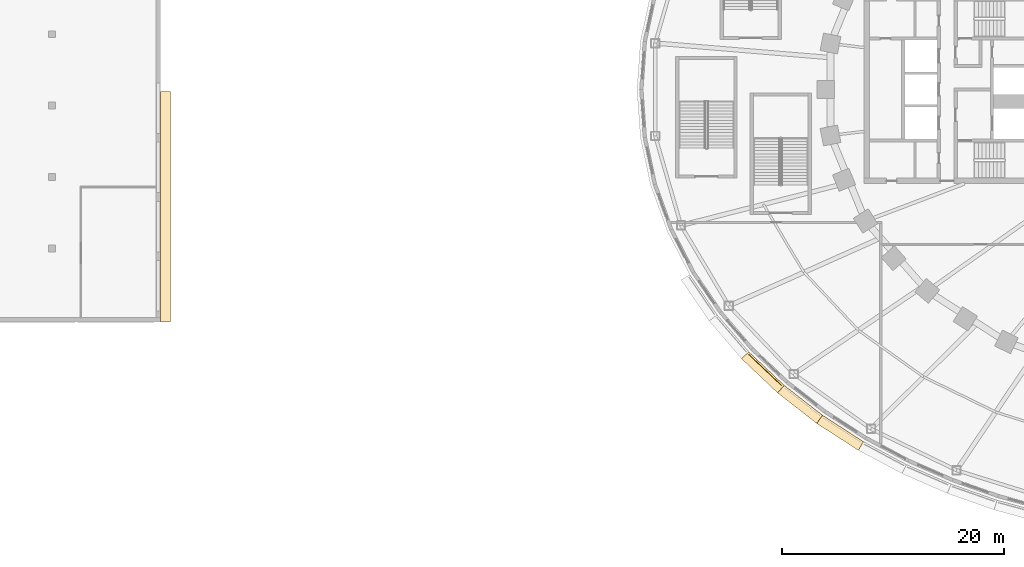
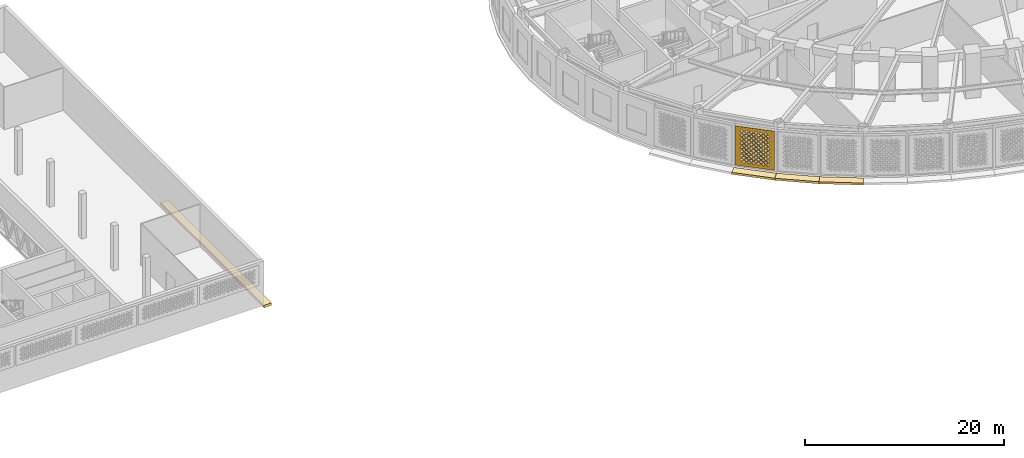
# One storey, part 33 of 69: 5 coverings.
"""IFC4 building model written with IfcOpenShell, lengths in metres."""

from ifc_helpers import new_model, si_unit, direction, frame, origin, place, context, subcontext, project, spatial, polyline, outline, extrude, material, layer, layer_set, type_object, element, save


model = new_model("IFC4")

# Units and contexts
model_context = context("Model", 3, precision=1e-05, world=origin(), true_north=direction((0.0, 1.0)))
body_context = subcontext(model_context, "Body", "Model", "MODEL_VIEW")
ifc_project = project(units=[si_unit("LENGTHUNIT", "METRE"), si_unit("AREAUNIT", "SQUARE_METRE"), si_unit("VOLUMEUNIT", "CUBIC_METRE"), si_unit("PLANEANGLEUNIT", "RADIAN"), si_unit("MASSUNIT", "GRAM", prefix="KILO")], contexts=[model_context])

# Site, building, storey
site_placement = place(None, origin())
site = spatial("IfcSite", under=ifc_project, at=site_placement, CompositionType="ELEMENT")
building_placement = place(site_placement, origin())
building = spatial("IfcBuilding", under=site, at=building_placement, Name="Noorbagh Ring Tower", CompositionType="ELEMENT")
storey_placement = place(building_placement, frame((0.0, 0.0, 19.5)))
storey = spatial("IfcBuildingStorey", under=building, at=storey_placement, Name="L03", CompositionType="ELEMENT", Elevation=19.5)

# Coverings
ifc_material_1 = material(Name="Red sandstone eave", Category="masonry")
covering_type_1 = type_object("IfcCoveringType", Name="STH-CHHAJJA", PredefinedType="USERDEFINED", material=ifc_material_1)
covering_1_placement = place(storey_placement, frame((0.0, 0.0, -0.300048828125)))
element("IfcCovering", 1, at=covering_1_placement, inside=storey, type_object=covering_type_1, Name="Chhajja eave", ObjectType="CHHAJJA", PredefinedType="USERDEFINED", context=body_context, shape_type="SweptSolid", body=[
    extrude(outline(polyline([(-95.0, -21.0), (-95.0, -0.199951171875), (-94.10009765625, -0.199951171875), (-94.10009765625, -21.0), (-95.0, -21.0)])), origin(), (0.0, 0.0, 1.0), 0.300048828125),
])
ifc_material_2 = material(Name="Red sandstone eave", Category="masonry")
covering_type_2 = type_object("IfcCoveringType", Name="STY-CHHAJJA", PredefinedType="USERDEFINED", material=ifc_material_2)
covering_2_placement = place(storey_placement, frame((0.0, 0.0, -0.25)))
element("IfcCovering", 2, at=covering_2_placement, inside=storey, type_object=covering_type_2, Name="Chhajja eave", ObjectType="CHHAJJA", PredefinedType="USERDEFINED", context=body_context, shape_type="SweptSolid", body=[
    extrude(outline(polyline([(-41.906494140625, -23.682373046875), (-38.71435546875, -26.70458984375), (-39.3017578125, -27.3876953125), (-42.55908203125, -24.3037109375), (-41.906494140625, -23.682373046875)])), origin(), (0.0, 0.0, 1.0), 0.25),
])
covering_3_placement = place(storey_placement, frame((0.0, 0.0, -0.25)))
element("IfcCovering", 3, at=covering_3_placement, inside=storey, type_object=covering_type_2, Name="Chhajja eave", ObjectType="CHHAJJA", PredefinedType="USERDEFINED", context=body_context, shape_type="SweptSolid", body=[
    extrude(outline(polyline([(-38.71435546875, -26.70458984375), (-35.247802734375, -29.408203125), (-35.769775390625, -30.142578125), (-39.3017578125, -27.3876953125), (-38.71435546875, -26.70458984375)])), origin(), (0.0, 0.0, 1.0), 0.25),
])
covering_4_placement = place(storey_placement, frame((0.0, 0.0, -0.25)))
element("IfcCovering", 4, at=covering_4_placement, inside=storey, type_object=covering_type_2, Name="Chhajja eave", ObjectType="CHHAJJA", PredefinedType="USERDEFINED", context=body_context, shape_type="SweptSolid", body=[
    extrude(outline(polyline([(-35.247802734375, -29.408203125), (-31.5546875, -31.793701171875), (-32.011474609375, -32.56982421875), (-35.769775390625, -30.142578125), (-35.247802734375, -29.408203125)])), origin(), (0.0, 0.0, 1.0), 0.25),
])
ifc_material_3 = material(Name="Red sandstone jali", Category="masonry")
ifc_layer = layer(ifc_material_3, 0.0400390625)
ifc_layer_set = layer_set([ifc_layer], Name="Red sandstone jali")
covering_type_3 = type_object("IfcCoveringType", Name="STY-JALI", PredefinedType="USERDEFINED", material=ifc_layer_set)
covering_5_placement = place(storey_placement, frame((-41.92822265625, -23.92333984375, 0.449951171875), z_axis=(-0.687531349275, -0.726154696855, 0.0), x_axis=(0.726154696855, -0.687531349275, 0.0)))
element("IfcCovering", 5, at=covering_5_placement, inside=storey, type_object=covering_type_3, Name="Jali screen", ObjectType="SCREEN", PredefinedType="USERDEFINED", context=body_context, shape_type="SweptSolid", body=[
    extrude(outline(polyline([(0.0, 0.0), (4.095947265625, 0.0), (4.095947265625, 4.800048828125), (0.0, 4.800048828125), (0.0, 0.0)]), holes=[polyline([(0.742919921875, 0.52490234375), (0.923095703125, 0.344970703125), (1.10302734375, 0.52490234375), (0.923095703125, 0.705078125), (0.742919921875, 0.52490234375)]), polyline([(1.242919921875, 0.52490234375), (1.423095703125, 0.344970703125), (1.60302734375, 0.52490234375), (1.423095703125, 0.705078125), (1.242919921875, 0.52490234375)]), polyline([(1.742919921875, 0.52490234375), (1.923095703125, 0.344970703125), (2.10302734375, 0.52490234375), (1.923095703125, 0.705078125), (1.742919921875, 0.52490234375)]), polyline([(2.242919921875, 0.52490234375), (2.423095703125, 0.344970703125), (2.60302734375, 0.52490234375), (2.423095703125, 0.705078125), (2.242919921875, 0.52490234375)]), polyline([(2.742919921875, 0.52490234375), (2.923095703125, 0.344970703125), (3.10302734375, 0.52490234375), (2.923095703125, 0.705078125), (2.742919921875, 0.52490234375)]), polyline([(3.242919921875, 0.52490234375), (3.423095703125, 0.344970703125), (3.60302734375, 0.52490234375), (3.423095703125, 0.705078125), (3.242919921875, 0.52490234375)]), polyline([(0.492919921875, 0.77490234375), (0.673095703125, 0.594970703125), (0.85302734375, 0.77490234375), (0.673095703125, 0.955078125), (0.492919921875, 0.77490234375)]), polyline([(0.992919921875, 0.77490234375), (1.173095703125, 0.594970703125), (1.35302734375, 0.77490234375), (1.173095703125, 0.955078125), (0.992919921875, 0.77490234375)]), polyline([(1.492919921875, 0.77490234375), (1.673095703125, 0.594970703125), (1.85302734375, 0.77490234375), (1.673095703125, 0.955078125), (1.492919921875, 0.77490234375)]), polyline([(1.992919921875, 0.77490234375), (2.173095703125, 0.594970703125), (2.35302734375, 0.77490234375), (2.173095703125, 0.955078125), (1.992919921875, 0.77490234375)]), polyline([(2.492919921875, 0.77490234375), (2.673095703125, 0.594970703125), (2.85302734375, 0.77490234375), (2.673095703125, 0.955078125), (2.492919921875, 0.77490234375)]), polyline([(2.992919921875, 0.77490234375), (3.173095703125, 0.594970703125), (3.35302734375, 0.77490234375), (3.173095703125, 0.955078125), (2.992919921875, 0.77490234375)]), polyline([(0.742919921875, 1.02490234375), (0.923095703125, 0.844970703125), (1.10302734375, 1.02490234375), (0.923095703125, 1.205078125), (0.742919921875, 1.02490234375)]), polyline([(1.242919921875, 1.02490234375), (1.423095703125, 0.844970703125), (1.60302734375, 1.02490234375), (1.423095703125, 1.205078125), (1.242919921875, 1.02490234375)]), polyline([(1.742919921875, 1.02490234375), (1.923095703125, 0.844970703125), (2.10302734375, 1.02490234375), (1.923095703125, 1.205078125), (1.742919921875, 1.02490234375)]), polyline([(2.242919921875, 1.02490234375), (2.423095703125, 0.844970703125), (2.60302734375, 1.02490234375), (2.423095703125, 1.205078125), (2.242919921875, 1.02490234375)]), polyline([(2.742919921875, 1.02490234375), (2.923095703125, 0.844970703125), (3.10302734375, 1.02490234375), (2.923095703125, 1.205078125), (2.742919921875, 1.02490234375)]), polyline([(3.242919921875, 1.02490234375), (3.423095703125, 0.844970703125), (3.60302734375, 1.02490234375), (3.423095703125, 1.205078125), (3.242919921875, 1.02490234375)]), polyline([(0.492919921875, 1.27490234375), (0.673095703125, 1.094970703125), (0.85302734375, 1.27490234375), (0.673095703125, 1.455078125), (0.492919921875, 1.27490234375)]), polyline([(0.992919921875, 1.27490234375), (1.173095703125, 1.094970703125), (1.35302734375, 1.27490234375), (1.173095703125, 1.455078125), (0.992919921875, 1.27490234375)]), polyline([(1.492919921875, 1.27490234375), (1.673095703125, 1.094970703125), (1.85302734375, 1.27490234375), (1.673095703125, 1.455078125), (1.492919921875, 1.27490234375)]), polyline([(1.992919921875, 1.27490234375), (2.173095703125, 1.094970703125), (2.35302734375, 1.27490234375), (2.173095703125, 1.455078125), (1.992919921875, 1.27490234375)]), polyline([(2.492919921875, 1.27490234375), (2.673095703125, 1.094970703125), (2.85302734375, 1.27490234375), (2.673095703125, 1.455078125), (2.492919921875, 1.27490234375)]), polyline([(2.992919921875, 1.27490234375), (3.173095703125, 1.094970703125), (3.35302734375, 1.27490234375), (3.173095703125, 1.455078125), (2.992919921875, 1.27490234375)]), polyline([(0.742919921875, 1.52490234375), (0.923095703125, 1.344970703125), (1.10302734375, 1.52490234375), (0.923095703125, 1.705078125), (0.742919921875, 1.52490234375)]), polyline([(1.242919921875, 1.52490234375), (1.423095703125, 1.344970703125), (1.60302734375, 1.52490234375), (1.423095703125, 1.705078125), (1.242919921875, 1.52490234375)]), polyline([(1.742919921875, 1.52490234375), (1.923095703125, 1.344970703125), (2.10302734375, 1.52490234375), (1.923095703125, 1.705078125), (1.742919921875, 1.52490234375)]), polyline([(2.242919921875, 1.52490234375), (2.423095703125, 1.344970703125), (2.60302734375, 1.52490234375), (2.423095703125, 1.705078125), (2.242919921875, 1.52490234375)]), polyline([(2.742919921875, 1.52490234375), (2.923095703125, 1.344970703125), (3.10302734375, 1.52490234375), (2.923095703125, 1.705078125), (2.742919921875, 1.52490234375)]), polyline([(3.242919921875, 1.52490234375), (3.423095703125, 1.344970703125), (3.60302734375, 1.52490234375), (3.423095703125, 1.705078125), (3.242919921875, 1.52490234375)]), polyline([(0.492919921875, 1.77490234375), (0.673095703125, 1.594970703125), (0.85302734375, 1.77490234375), (0.673095703125, 1.955078125), (0.492919921875, 1.77490234375)]), polyline([(0.992919921875, 1.77490234375), (1.173095703125, 1.594970703125), (1.35302734375, 1.77490234375), (1.173095703125, 1.955078125), (0.992919921875, 1.77490234375)]), polyline([(1.492919921875, 1.77490234375), (1.673095703125, 1.594970703125), (1.85302734375, 1.77490234375), (1.673095703125, 1.955078125), (1.492919921875, 1.77490234375)]), polyline([(1.992919921875, 1.77490234375), (2.173095703125, 1.594970703125), (2.35302734375, 1.77490234375), (2.173095703125, 1.955078125), (1.992919921875, 1.77490234375)]), polyline([(2.492919921875, 1.77490234375), (2.673095703125, 1.594970703125), (2.85302734375, 1.77490234375), (2.673095703125, 1.955078125), (2.492919921875, 1.77490234375)]), polyline([(2.992919921875, 1.77490234375), (3.173095703125, 1.594970703125), (3.35302734375, 1.77490234375), (3.173095703125, 1.955078125), (2.992919921875, 1.77490234375)]), polyline([(0.742919921875, 2.02490234375), (0.923095703125, 1.844970703125), (1.10302734375, 2.02490234375), (0.923095703125, 2.205078125), (0.742919921875, 2.02490234375)]), polyline([(1.242919921875, 2.02490234375), (1.423095703125, 1.844970703125), (1.60302734375, 2.02490234375), (1.423095703125, 2.205078125), (1.242919921875, 2.02490234375)]), polyline([(1.742919921875, 2.02490234375), (1.923095703125, 1.844970703125), (2.10302734375, 2.02490234375), (1.923095703125, 2.205078125), (1.742919921875, 2.02490234375)]), polyline([(2.242919921875, 2.02490234375), (2.423095703125, 1.844970703125), (2.60302734375, 2.02490234375), (2.423095703125, 2.205078125), (2.242919921875, 2.02490234375)]), polyline([(2.742919921875, 2.02490234375), (2.923095703125, 1.844970703125), (3.10302734375, 2.02490234375), (2.923095703125, 2.205078125), (2.742919921875, 2.02490234375)]), polyline([(3.242919921875, 2.02490234375), (3.423095703125, 1.844970703125), (3.60302734375, 2.02490234375), (3.423095703125, 2.205078125), (3.242919921875, 2.02490234375)]), polyline([(0.492919921875, 2.27490234375), (0.673095703125, 2.094970703125), (0.85302734375, 2.27490234375), (0.673095703125, 2.455078125), (0.492919921875, 2.27490234375)]), polyline([(0.992919921875, 2.27490234375), (1.173095703125, 2.094970703125), (1.35302734375, 2.27490234375), (1.173095703125, 2.455078125), (0.992919921875, 2.27490234375)]), polyline([(1.492919921875, 2.27490234375), (1.673095703125, 2.094970703125), (1.85302734375, 2.27490234375), (1.673095703125, 2.455078125), (1.492919921875, 2.27490234375)]), polyline([(1.992919921875, 2.27490234375), (2.173095703125, 2.094970703125), (2.35302734375, 2.27490234375), (2.173095703125, 2.455078125), (1.992919921875, 2.27490234375)]), polyline([(2.492919921875, 2.27490234375), (2.673095703125, 2.094970703125), (2.85302734375, 2.27490234375), (2.673095703125, 2.455078125), (2.492919921875, 2.27490234375)]), polyline([(2.992919921875, 2.27490234375), (3.173095703125, 2.094970703125), (3.35302734375, 2.27490234375), (3.173095703125, 2.455078125), (2.992919921875, 2.27490234375)]), polyline([(0.742919921875, 2.52490234375), (0.923095703125, 2.344970703125), (1.10302734375, 2.52490234375), (0.923095703125, 2.705078125), (0.742919921875, 2.52490234375)]), polyline([(1.242919921875, 2.52490234375), (1.423095703125, 2.344970703125), (1.60302734375, 2.52490234375), (1.423095703125, 2.705078125), (1.242919921875, 2.52490234375)]), polyline([(1.742919921875, 2.52490234375), (1.923095703125, 2.344970703125), (2.10302734375, 2.52490234375), (1.923095703125, 2.705078125), (1.742919921875, 2.52490234375)]), polyline([(2.242919921875, 2.52490234375), (2.423095703125, 2.344970703125), (2.60302734375, 2.52490234375), (2.423095703125, 2.705078125), (2.242919921875, 2.52490234375)]), polyline([(2.742919921875, 2.52490234375), (2.923095703125, 2.344970703125), (3.10302734375, 2.52490234375), (2.923095703125, 2.705078125), (2.742919921875, 2.52490234375)]), polyline([(3.242919921875, 2.52490234375), (3.423095703125, 2.344970703125), (3.60302734375, 2.52490234375), (3.423095703125, 2.705078125), (3.242919921875, 2.52490234375)]), polyline([(0.492919921875, 2.77490234375), (0.673095703125, 2.594970703125), (0.85302734375, 2.77490234375), (0.673095703125, 2.955078125), (0.492919921875, 2.77490234375)]), polyline([(0.992919921875, 2.77490234375), (1.173095703125, 2.594970703125), (1.35302734375, 2.77490234375), (1.173095703125, 2.955078125), (0.992919921875, 2.77490234375)]), polyline([(1.492919921875, 2.77490234375), (1.673095703125, 2.594970703125), (1.85302734375, 2.77490234375), (1.673095703125, 2.955078125), (1.492919921875, 2.77490234375)]), polyline([(1.992919921875, 2.77490234375), (2.173095703125, 2.594970703125), (2.35302734375, 2.77490234375), (2.173095703125, 2.955078125), (1.992919921875, 2.77490234375)]), polyline([(2.492919921875, 2.77490234375), (2.673095703125, 2.594970703125), (2.85302734375, 2.77490234375), (2.673095703125, 2.955078125), (2.492919921875, 2.77490234375)]), polyline([(2.992919921875, 2.77490234375), (3.173095703125, 2.594970703125), (3.35302734375, 2.77490234375), (3.173095703125, 2.955078125), (2.992919921875, 2.77490234375)]), polyline([(0.742919921875, 3.02490234375), (0.923095703125, 2.844970703125), (1.10302734375, 3.02490234375), (0.923095703125, 3.205078125), (0.742919921875, 3.02490234375)]), polyline([(1.242919921875, 3.02490234375), (1.423095703125, 2.844970703125), (1.60302734375, 3.02490234375), (1.423095703125, 3.205078125), (1.242919921875, 3.02490234375)]), polyline([(1.742919921875, 3.02490234375), (1.923095703125, 2.844970703125), (2.10302734375, 3.02490234375), (1.923095703125, 3.205078125), (1.742919921875, 3.02490234375)]), polyline([(2.242919921875, 3.02490234375), (2.423095703125, 2.844970703125), (2.60302734375, 3.02490234375), (2.423095703125, 3.205078125), (2.242919921875, 3.02490234375)]), polyline([(2.742919921875, 3.02490234375), (2.923095703125, 2.844970703125), (3.10302734375, 3.02490234375), (2.923095703125, 3.205078125), (2.742919921875, 3.02490234375)]), polyline([(3.242919921875, 3.02490234375), (3.423095703125, 2.844970703125), (3.60302734375, 3.02490234375), (3.423095703125, 3.205078125), (3.242919921875, 3.02490234375)]), polyline([(0.492919921875, 3.27490234375), (0.673095703125, 3.094970703125), (0.85302734375, 3.27490234375), (0.673095703125, 3.455078125), (0.492919921875, 3.27490234375)]), polyline([(0.992919921875, 3.27490234375), (1.173095703125, 3.094970703125), (1.35302734375, 3.27490234375), (1.173095703125, 3.455078125), (0.992919921875, 3.27490234375)]), polyline([(1.492919921875, 3.27490234375), (1.673095703125, 3.094970703125), (1.85302734375, 3.27490234375), (1.673095703125, 3.455078125), (1.492919921875, 3.27490234375)]), polyline([(1.992919921875, 3.27490234375), (2.173095703125, 3.094970703125), (2.35302734375, 3.27490234375), (2.173095703125, 3.455078125), (1.992919921875, 3.27490234375)]), polyline([(2.492919921875, 3.27490234375), (2.673095703125, 3.094970703125), (2.85302734375, 3.27490234375), (2.673095703125, 3.455078125), (2.492919921875, 3.27490234375)]), polyline([(2.992919921875, 3.27490234375), (3.173095703125, 3.094970703125), (3.35302734375, 3.27490234375), (3.173095703125, 3.455078125), (2.992919921875, 3.27490234375)]), polyline([(0.742919921875, 3.52490234375), (0.923095703125, 3.344970703125), (1.10302734375, 3.52490234375), (0.923095703125, 3.705078125), (0.742919921875, 3.52490234375)]), polyline([(1.242919921875, 3.52490234375), (1.423095703125, 3.344970703125), (1.60302734375, 3.52490234375), (1.423095703125, 3.705078125), (1.242919921875, 3.52490234375)]), polyline([(1.742919921875, 3.52490234375), (1.923095703125, 3.344970703125), (2.10302734375, 3.52490234375), (1.923095703125, 3.705078125), (1.742919921875, 3.52490234375)]), polyline([(2.242919921875, 3.52490234375), (2.423095703125, 3.344970703125), (2.60302734375, 3.52490234375), (2.423095703125, 3.705078125), (2.242919921875, 3.52490234375)]), polyline([(2.742919921875, 3.52490234375), (2.923095703125, 3.344970703125), (3.10302734375, 3.52490234375), (2.923095703125, 3.705078125), (2.742919921875, 3.52490234375)]), polyline([(3.242919921875, 3.52490234375), (3.423095703125, 3.344970703125), (3.60302734375, 3.52490234375), (3.423095703125, 3.705078125), (3.242919921875, 3.52490234375)]), polyline([(0.492919921875, 3.77490234375), (0.673095703125, 3.594970703125), (0.85302734375, 3.77490234375), (0.673095703125, 3.955078125), (0.492919921875, 3.77490234375)]), polyline([(0.992919921875, 3.77490234375), (1.173095703125, 3.594970703125), (1.35302734375, 3.77490234375), (1.173095703125, 3.955078125), (0.992919921875, 3.77490234375)]), polyline([(1.492919921875, 3.77490234375), (1.673095703125, 3.594970703125), (1.85302734375, 3.77490234375), (1.673095703125, 3.955078125), (1.492919921875, 3.77490234375)]), polyline([(1.992919921875, 3.77490234375), (2.173095703125, 3.594970703125), (2.35302734375, 3.77490234375), (2.173095703125, 3.955078125), (1.992919921875, 3.77490234375)]), polyline([(2.492919921875, 3.77490234375), (2.673095703125, 3.594970703125), (2.85302734375, 3.77490234375), (2.673095703125, 3.955078125), (2.492919921875, 3.77490234375)]), polyline([(2.992919921875, 3.77490234375), (3.173095703125, 3.594970703125), (3.35302734375, 3.77490234375), (3.173095703125, 3.955078125), (2.992919921875, 3.77490234375)]), polyline([(0.742919921875, 4.02490234375), (0.923095703125, 3.844970703125), (1.10302734375, 4.02490234375), (0.923095703125, 4.205078125), (0.742919921875, 4.02490234375)]), polyline([(1.242919921875, 4.02490234375), (1.423095703125, 3.844970703125), (1.60302734375, 4.02490234375), (1.423095703125, 4.205078125), (1.242919921875, 4.02490234375)]), polyline([(1.742919921875, 4.02490234375), (1.923095703125, 3.844970703125), (2.10302734375, 4.02490234375), (1.923095703125, 4.205078125), (1.742919921875, 4.02490234375)]), polyline([(2.242919921875, 4.02490234375), (2.423095703125, 3.844970703125), (2.60302734375, 4.02490234375), (2.423095703125, 4.205078125), (2.242919921875, 4.02490234375)]), polyline([(2.742919921875, 4.02490234375), (2.923095703125, 3.844970703125), (3.10302734375, 4.02490234375), (2.923095703125, 4.205078125), (2.742919921875, 4.02490234375)]), polyline([(3.242919921875, 4.02490234375), (3.423095703125, 3.844970703125), (3.60302734375, 4.02490234375), (3.423095703125, 4.205078125), (3.242919921875, 4.02490234375)]), polyline([(0.492919921875, 4.27490234375), (0.673095703125, 4.094970703125), (0.85302734375, 4.27490234375), (0.673095703125, 4.455078125), (0.492919921875, 4.27490234375)]), polyline([(0.992919921875, 4.27490234375), (1.173095703125, 4.094970703125), (1.35302734375, 4.27490234375), (1.173095703125, 4.455078125), (0.992919921875, 4.27490234375)]), polyline([(1.492919921875, 4.27490234375), (1.673095703125, 4.094970703125), (1.85302734375, 4.27490234375), (1.673095703125, 4.455078125), (1.492919921875, 4.27490234375)]), polyline([(1.992919921875, 4.27490234375), (2.173095703125, 4.094970703125), (2.35302734375, 4.27490234375), (2.173095703125, 4.455078125), (1.992919921875, 4.27490234375)]), polyline([(2.492919921875, 4.27490234375), (2.673095703125, 4.094970703125), (2.85302734375, 4.27490234375), (2.673095703125, 4.455078125), (2.492919921875, 4.27490234375)]), polyline([(2.992919921875, 4.27490234375), (3.173095703125, 4.094970703125), (3.35302734375, 4.27490234375), (3.173095703125, 4.455078125), (2.992919921875, 4.27490234375)])]), origin(), (0.0, 0.0, -1.0), 0.0400390625),
])

save(model, "model.ifc")
